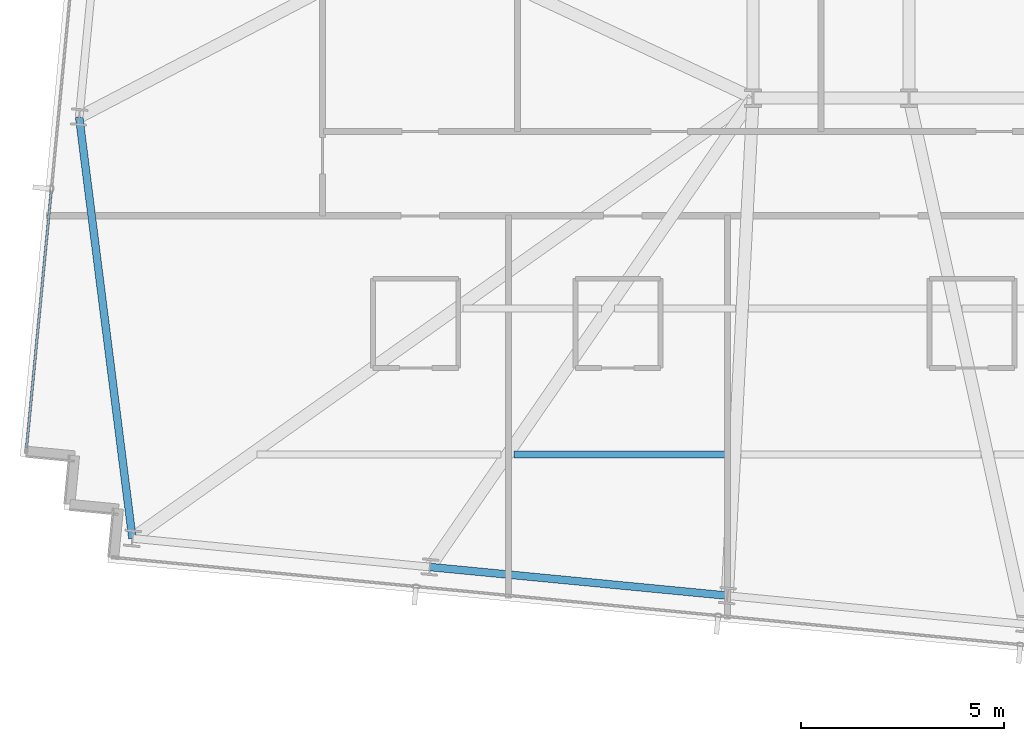
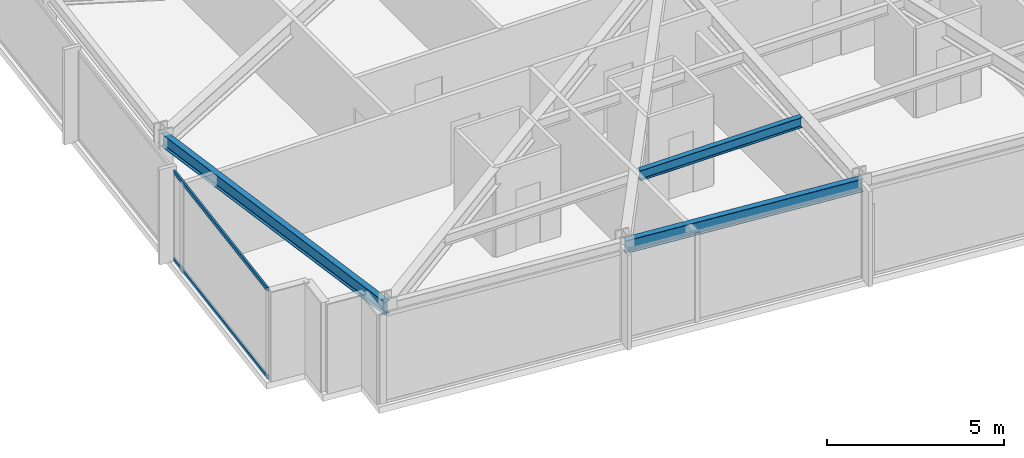
# One storey, part 3 of 37: 3 beams, 2 members, 1 element without a shape of its own.
"""IFC4 building model written with IfcOpenShell, lengths in metres."""

import ifcopenshell
import ifcopenshell.guid

model = None  # the IFC model being written
_history = None  # IfcOwnerHistory: only IFC2X3 demands one
_inside = {}  # id of a spatial element -> (the spatial element, [elements in it])
_under = {}  # id of a project, library or spatial element -> (it, [spatial elements below it])
_declared = {}  # id of a project -> (the project, [libraries it declares])
_typed = {}  # id of a type object -> (the type object, [elements of that type])
_made_of = {}  # id of a material, layer set ... -> (it, [elements and type objects made of it])


def new_model(schema):
    """Start an empty IFC model of exactly this schema.

    Asked for "IFC4X3", IfcOpenShell would pick the latest addendum, in which some entities
    have other attributes; the version numbers below select the first issue.
    IFC2X3 requires an IfcOwnerHistory on every rooted entity: one is made here for all.
    """
    global model, _history
    if schema == "IFC4X3":
        model = ifcopenshell.file(schema_version=(4, 3, 0, 0))
    else:
        model = ifcopenshell.file(schema=schema)
    _inside.clear()
    _under.clear()
    _declared.clear()
    _typed.clear()
    _made_of.clear()
    _history = None
    if model.schema == "IFC2X3":
        org = make("IfcOrganization", Name="unknown")
        user = make(
            "IfcPersonAndOrganization",
            ThePerson=make("IfcPerson", FamilyName="unknown"),
            TheOrganization=org,
        )
        app = make(
            "IfcApplication",
            ApplicationDeveloper=org,
            Version="unknown",
            ApplicationFullName="unknown",
            ApplicationIdentifier="unknown",
        )
        _history = make(
            "IfcOwnerHistory",
            OwningUser=user,
            OwningApplication=app,
            ChangeAction="ADDED",
            CreationDate=0,
        )
    return model


def make(cls, **values):
    """One entity of the class cls with the attributes given. An attribute that is None is left unset."""
    return model.create_entity(
        cls, **{name: value for name, value in values.items() if value is not None}
    )


def rooted(cls, **values):
    """An entity with a GlobalId (a new one), such as an element, a storey or a relation."""
    return make(cls, GlobalId=ifcopenshell.guid.new(), OwnerHistory=_history, **values)


def si_unit(unit_type, name, prefix=None):
    """IfcSIUnit, for example si_unit("LENGTHUNIT", "METRE", prefix="MILLI")."""
    return make("IfcSIUnit", UnitType=unit_type, Prefix=prefix, Name=name)


def assignment(units):
    """IfcUnitAssignment: the units of a project."""
    return None if units is None else make("IfcUnitAssignment", Units=units)


def point(xyz):
    """IfcCartesianPoint."""
    return None if xyz is None else make("IfcCartesianPoint", Coordinates=xyz)


def direction(xyz):
    """IfcDirection."""
    return None if xyz is None else make("IfcDirection", DirectionRatios=xyz)


def frame(location, z_axis=None, x_axis=None):
    """IfcAxis2Placement3D, a coordinate frame: its origin and axes. An axis left out is left unset."""
    return make(
        "IfcAxis2Placement3D",
        Location=point(location),
        Axis=direction(z_axis),
        RefDirection=direction(x_axis),
    )


def frame_2d(location, x_axis=None):
    """IfcAxis2Placement2D, a coordinate frame in the plane: its origin and x axis."""
    return make(
        "IfcAxis2Placement2D", Location=point(location), RefDirection=direction(x_axis)
    )


def origin():
    """The frame at (0, 0, 0) with its axes left unset."""
    return frame((0.0, 0.0, 0.0))


def origin_2d():
    """The frame at (0, 0) in the plane with its x axis left unset."""
    return frame_2d((0.0, 0.0))


def place(relative_to, where):
    """IfcLocalPlacement: puts the frame where relative to a parent placement (None: the world)."""
    return make(
        "IfcLocalPlacement", PlacementRelTo=relative_to, RelativePlacement=where
    )


def context(
    kind, dimensions, precision=None, world=None, true_north=None, identifier=None
):
    """IfcGeometricRepresentationContext, for example the 3D "Model" context."""
    return make(
        "IfcGeometricRepresentationContext",
        ContextIdentifier=identifier,
        ContextType=kind,
        CoordinateSpaceDimension=dimensions,
        Precision=precision,
        WorldCoordinateSystem=world,
        TrueNorth=true_north,
    )


def subcontext(parent, identifier, kind, view, scale=None):
    """IfcGeometricRepresentationSubContext, for example "Body" below "Model"."""
    return make(
        "IfcGeometricRepresentationSubContext",
        ContextIdentifier=identifier,
        ContextType=kind,
        ParentContext=parent,
        TargetScale=scale,
        TargetView=view,
    )


def project(units=None, contexts=None):
    """IfcProject with its units and contexts."""
    return rooted(
        "IfcProject",
        Name="project",
        RepresentationContexts=contexts,
        UnitsInContext=assignment(units),
    )


def spatial(cls, under=None, at=None, **own):
    """A site, building, storey or space (cls), placed at a placement, below another one or the project."""
    s = rooted(cls, ObjectPlacement=at, **own)
    if under is not None:
        _under.setdefault(under.id(), (under, []))[1].append(s)
    return s


def profile(cls, at=None, kind="AREA", **sizes):
    """A parametric profile (cls). Its sizes go by their IFC names, for example OverallWidth=200.0."""
    return make(cls, ProfileType=kind, Position=at, **sizes)


def hollow_rectangle(**sizes):
    """IfcRectangleHollowProfileDef."""
    return profile("IfcRectangleHollowProfileDef", **sizes)


def i_section(**sizes):
    """IfcIShapeProfileDef."""
    return profile("IfcIShapeProfileDef", **sizes)


def extrude(swept, where, along, depth):
    """IfcExtrudedAreaSolid: the profile swept, set in the frame where, extruded along a direction by depth."""
    return make(
        "IfcExtrudedAreaSolid",
        SweptArea=swept,
        Position=where,
        ExtrudedDirection=direction(along),
        Depth=depth,
    )


def shape(context_of_items, identifier, shape_type, items):
    """IfcShapeRepresentation: the items that make up one representation, for example the "Body"."""
    return make(
        "IfcShapeRepresentation",
        ContextOfItems=context_of_items,
        RepresentationIdentifier=identifier,
        RepresentationType=shape_type,
        Items=items,
    )


def material(Name=None, Category=None):
    """IfcMaterial."""
    return make("IfcMaterial", Name=Name, Category=Category)


def material_profile(
    of_material, cross_section, Name=None, Category=None, Priority=None
):
    """IfcMaterialProfile: a cross section and its material."""
    return make(
        "IfcMaterialProfile",
        Name=Name,
        Material=of_material,
        Profile=cross_section,
        Priority=Priority,
        Category=Category,
    )


def profile_set(profiles, Name=None, composite=None):
    """IfcMaterialProfileSet."""
    return make(
        "IfcMaterialProfileSet",
        Name=Name,
        MaterialProfiles=profiles,
        CompositeProfile=composite,
    )


def made_of(thing, what):
    """Note that an element or type object is made of a material, layer set ...; save() writes the relation."""
    if what is not None:
        _made_of.setdefault(what.id(), (what, []))[1].append(thing)
    return thing


def type_object(cls, material=None, **own):
    """A type object (cls), such as IfcWallType, which elements share."""
    return made_of(rooted(cls, **own), material)


def element(
    cls,
    number,
    at=None,
    inside=None,
    cuts=None,
    type_object=None,
    material=None,
    context=None,
    identifier="Body",
    shape_type=None,
    held_by="IfcProductDefinitionShape",
    body=None,
    shapes=None,
    **own,
):
    """One element of the class cls, such as IfcWall. Its Tag is "e" and its number.

    at: its placement. inside: the storey or other place that contains it. cuts: it is an
    opening in that element (IfcRelVoidsElement). A single representation is given by context,
    identifier, shape_type and body (its items); several are given by shapes. held_by: the class
    of the entity that holds the representations. save() writes the other relations.
    """
    e = rooted(cls, Tag="e%d" % number, ObjectPlacement=at, **own)
    if body is not None:
        shapes = [shape(context, identifier, shape_type, body)]
    if shapes is not None:
        e.Representation = make(held_by, Representations=shapes)
    if inside is not None:
        _inside.setdefault(inside.id(), (inside, []))[1].append(e)
    if cuts is not None:
        rooted(
            "IfcRelVoidsElement", RelatingBuildingElement=cuts, RelatedOpeningElement=e
        )
    if type_object is not None:
        _typed.setdefault(type_object.id(), (type_object, []))[1].append(e)
    return made_of(e, material)


def aggregate(whole, parts):
    """IfcRelAggregates: a whole, such as a stair, and the parts it consists of."""
    return rooted("IfcRelAggregates", RelatingObject=whole, RelatedObjects=parts)


def save(model, path):
    """Write the relations noted so far, then the file.

    IfcRelAggregates (storeys below a building ...), IfcRelContainedInSpatialStructure (elements
    in a storey), IfcRelDefinesByType, IfcRelAssociatesMaterial and IfcRelDeclares: one each for
    every whole, place, type object, material and project.
    """
    for whole, parts in _under.values():
        aggregate(whole, parts)
    for where, things in _inside.values():
        rooted(
            "IfcRelContainedInSpatialStructure",
            RelatedElements=things,
            RelatingStructure=where,
        )
    for kind, things in _typed.values():
        rooted("IfcRelDefinesByType", RelatedObjects=things, RelatingType=kind)
    for what, things in _made_of.values():
        rooted("IfcRelAssociatesMaterial", RelatedObjects=things, RelatingMaterial=what)
    for by, libraries in _declared.values():
        rooted("IfcRelDeclares", RelatingContext=by, RelatedDefinitions=libraries)
    model.write(path)


model = new_model("IFC4")

# Units and contexts
model_context = context("Model", 3, precision=1e-05, world=origin(), true_north=direction((0.0, 1.0)))
body_context = subcontext(model_context, "Body", "Model", "MODEL_VIEW")
ifc_project = project(units=[si_unit("LENGTHUNIT", "METRE"), si_unit("AREAUNIT", "SQUARE_METRE"), si_unit("VOLUMEUNIT", "CUBIC_METRE"), si_unit("PLANEANGLEUNIT", "RADIAN"), si_unit("MASSUNIT", "GRAM", prefix="KILO")], contexts=[model_context])

# Site, building, storey
site_placement = place(None, origin())
site = spatial("IfcSite", under=ifc_project, at=site_placement, CompositionType="ELEMENT")
building_placement = place(site_placement, origin())
building = spatial("IfcBuilding", under=site, at=building_placement, Name="Yelkora Congress Tower", CompositionType="ELEMENT")
storey_placement = place(building_placement, frame((0.0, 0.0, 165.5)))
storey = spatial("IfcBuildingStorey", under=building, at=storey_placement, Name="L45", CompositionType="ELEMENT", Elevation=165.5)

# Beams
ifc_material_1 = material(Name="Steel S355J2", Category="steel")
ifc_material_profile_1 = material_profile(ifc_material_1, i_section(OverallWidth=0.169921875, OverallDepth=0.360107421875, WebThickness=0.008056640625, FlangeThickness=0.0126953125, FilletRadius=0.01806640625, at=origin_2d()), Name="IPE 360")
ifc_profile_set_1 = profile_set([ifc_material_profile_1], Name="Steel S355J2")
beam_type_1 = type_object("IfcBeamType", Name="BM-JOIST-IPE360", PredefinedType="JOIST", material=ifc_profile_set_1)
beam_1_placement = place(storey_placement, frame((13.310546875, 16.421142578125, 2.89990234375), z_axis=(1.0, 0.0, 0.0), x_axis=(0.0, 1.0, 0.0)))
element("IfcBeam", 1, at=beam_1_placement, inside=storey, type_object=beam_type_1, Name="L45 Composite Floor Joist 6", PredefinedType="JOIST", context=body_context, shape_type="SweptSolid", body=[
    extrude(i_section(OverallWidth=0.169921875, OverallDepth=0.360107421875, WebThickness=0.008056640625, FlangeThickness=0.0126953125, FilletRadius=0.01806640625, at=origin_2d()), origin(), (0.0, 0.0, 1.0), 5.275146484375),
])
ifc_material_profile_2 = material_profile(ifc_material_1, i_section(OverallWidth=0.18994140625, OverallDepth=0.449951171875, WebThickness=0.009521484375, FlangeThickness=0.0146484375, FilletRadius=0.02099609375, at=origin_2d()), Name="IPE 450")
ifc_profile_set_2 = profile_set([ifc_material_profile_2], Name="Steel S355J2")
beam_type_2 = type_object("IfcBeamType", Name="BM-SPAN-IPE450", PredefinedType="SPANDREL", material=ifc_profile_set_2)
beam_2_placement = place(storey_placement, frame((2.607421875, 24.730712890625, 2.85498046875), z_axis=(0.125457133578, -0.992099041243, 0.0), x_axis=(0.992099041243, 0.125457133578, 0.0)))
element("IfcBeam", 2, at=beam_2_placement, inside=storey, type_object=beam_type_2, Name="L45 Perimeter Beam 1", PredefinedType="SPANDREL", context=body_context, shape_type="SweptSolid", body=[
    extrude(i_section(OverallWidth=0.18994140625, OverallDepth=0.449951171875, WebThickness=0.009521484375, FlangeThickness=0.0146484375, FilletRadius=0.02099609375, at=origin_2d()), origin(), (0.0, 0.0, 1.0), 10.455810546875),
])
beam_3_placement = place(storey_placement, frame((11.242431640625, 13.652099609375, 2.85498046875), z_axis=(0.995397409467, -0.095833173935, 0.0), x_axis=(0.095833173935, 0.995397409467, 0.0)))
element("IfcBeam", 3, at=beam_3_placement, inside=storey, type_object=beam_type_2, Name="L45 Perimeter Beam 3", PredefinedType="SPANDREL", context=body_context, shape_type="SweptSolid", body=[
    extrude(i_section(OverallWidth=0.18994140625, OverallDepth=0.449951171875, WebThickness=0.009521484375, FlangeThickness=0.0146484375, FilletRadius=0.02099609375, at=origin_2d()), origin(), (0.0, 0.0, 1.0), 7.357421875),
])

# Curtain wall, members
ifc_material_2 = material(Name="Anodised aluminium and insulated glass", Category="aluminium")
curtain_wall_type = type_object("IfcCurtainWallType", Name="CW-SYS-B3", PredefinedType="NOTDEFINED", material=ifc_material_2)
curtain_wall_placement = place(storey_placement, origin())
curtain_wall = element("IfcCurtainWall", 4, at=curtain_wall_placement, inside=storey, type_object=curtain_wall_type, Name="L45 Unitised Curtain Wall 5", PredefinedType="NOTDEFINED")
ifc_material_3 = material(Name="Anodised aluminium 6063-T6", Category="aluminium")
ifc_material_profile_3 = material_profile(ifc_material_3, hollow_rectangle(XDim=0.06005859375, YDim=0.1298828125, WallThickness=0.00390625, at=origin_2d()), Name="ALU 60x130x4")
ifc_profile_set_3 = profile_set([ifc_material_profile_3], Name="Anodised aluminium 6063-T6")
member_type = type_object("IfcMemberType", Name="MEM-TR-B3", PredefinedType="USERDEFINED", material=ifc_profile_set_3)
member_1_placement = place(storey_placement, frame((1.31005859375, 16.57763671875, 0.030029296875), z_axis=(0.095834923543, 0.99539724102, 0.0), x_axis=(-0.99539724102, 0.095834923543, 0.0)))
member_1 = element("IfcMember", 5, at=member_1_placement, type_object=member_type, Name="CW-B3 transom 1.1", ObjectType="TRANSOM", PredefinedType="USERDEFINED", context=body_context, shape_type="SweptSolid", body=[
    extrude(hollow_rectangle(XDim=0.06005859375, YDim=0.1298828125, WallThickness=0.00390625, at=origin_2d()), origin(), (0.0, 0.0, 1.0), 6.37890625),
])
member_2_placement = place(storey_placement, frame((1.31005859375, 16.57763671875, 3.050048828125), z_axis=(0.095834923543, 0.99539724102, 0.0), x_axis=(-0.99539724102, 0.095834923543, 0.0)))
member_2 = element("IfcMember", 6, at=member_2_placement, type_object=member_type, Name="CW-B3 transom 1.2", ObjectType="TRANSOM", PredefinedType="USERDEFINED", context=body_context, shape_type="SweptSolid", body=[
    extrude(hollow_rectangle(XDim=0.06005859375, YDim=0.1298828125, WallThickness=0.00390625, at=origin_2d()), origin(), (0.0, 0.0, 1.0), 6.37890625),
])
aggregate(curtain_wall, [member_1, member_2])

save(model, "model.ifc")
